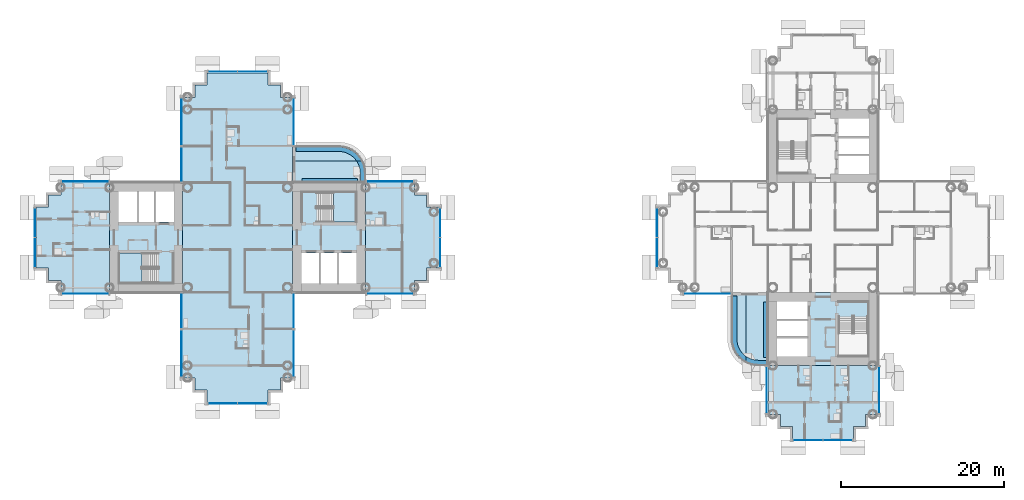
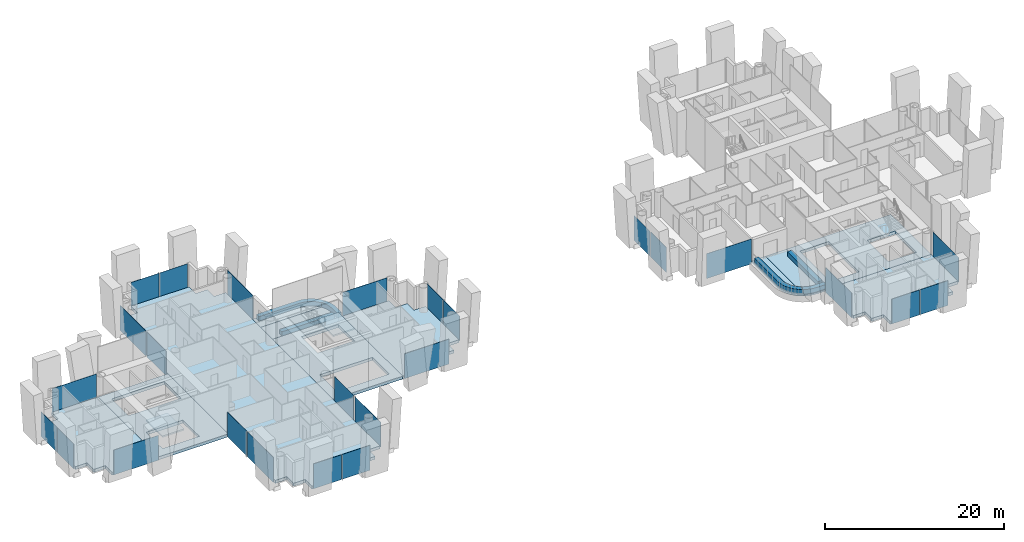
# One storey, part 8 of 23: 26 plates, 19 slabs, 22 elements without a shape of their own.
"""IFC4 building model written with IfcOpenShell, lengths in metres."""

from ifc_helpers import new_model, si_unit, direction, frame, origin, origin_2d, place, context, subcontext, project, spatial, polyline, rectangle, outline, extrude, material, layer, layer_set, type_object, element, aggregate, save


model = new_model("IFC4")

# Units and contexts
model_context = context("Model", 3, precision=1e-05, world=origin(), true_north=direction((0.0, 1.0)))
body_context = subcontext(model_context, "Body", "Model", "MODEL_VIEW")
ifc_project = project(units=[si_unit("LENGTHUNIT", "METRE"), si_unit("AREAUNIT", "SQUARE_METRE"), si_unit("VOLUMEUNIT", "CUBIC_METRE"), si_unit("PLANEANGLEUNIT", "RADIAN"), si_unit("MASSUNIT", "GRAM", prefix="KILO")], contexts=[model_context])

# Site, building, storey
site_placement = place(None, origin())
site = spatial("IfcSite", under=ifc_project, at=site_placement, CompositionType="ELEMENT")
building_placement = place(site_placement, origin())
building = spatial("IfcBuilding", under=site, at=building_placement, Name="Ipe Terrace Towers", CompositionType="ELEMENT")
storey_placement = place(building_placement, frame((0.0, 0.0, 51.699951171875)))
storey = spatial("IfcBuildingStorey", under=building, at=storey_placement, Name="L13", CompositionType="ELEMENT", Elevation=51.699951171875)

# Slabs
ifc_material_1 = material(Name="Concrete C30/37", Category="concrete")
ifc_layer_1 = layer(ifc_material_1, 0.199951171875)
ifc_layer_set_1 = layer_set([ifc_layer_1], Name="BALCONY SLAB 200")
slab_type_1 = type_object("IfcSlabType", Name="BALCONY SLAB 200", PredefinedType="FLOOR", material=ifc_layer_set_1)
slab_1_placement = place(storey_placement, frame((0.0, 0.0, -0.219970703125)))
element("IfcSlab", 1, at=slab_1_placement, inside=storey, type_object=slab_type_1, Name="balcony slab", PredefinedType="FLOOR", context=body_context, shape_type="SweptSolid", body=[
    extrude(outline(polyline([(-20.5009765625, 9.212890625), (-20.617919921875, 9.449951171875), (-29.25, 9.449951171875), (-29.25, 6.75), (-20.25, 6.75), (-20.25, 7.949951171875), (-20.278076171875, 8.381103515625), (-20.362060546875, 8.803955078125), (-20.5009765625, 9.212890625)])), origin(), (0.0, 0.0, 1.0), 0.199951171875),
])
slab_2_placement = place(storey_placement, frame((0.0, 0.0, -0.219970703125)))
element("IfcSlab", 2, at=slab_2_placement, inside=storey, type_object=slab_type_1, Name="balcony slab", PredefinedType="FLOOR", context=body_context, shape_type="SweptSolid", body=[
    extrude(outline(polyline([(-29.25, 11.25), (-29.25, 9.449951171875), (-20.617919921875, 9.449951171875), (-20.69189453125, 9.60009765625), (-20.931884765625, 9.958984375), (-21.217041015625, 10.282958984375), (-21.541015625, 10.568115234375), (-21.89990234375, 10.80810546875), (-22.287109375, 10.9990234375), (-22.696044921875, 11.137939453125), (-23.118896484375, 11.221923828125), (-23.550048828125, 11.25), (-29.25, 11.25)])), origin(), (0.0, 0.0, 1.0), 0.199951171875),
])
slab_3_placement = place(storey_placement, frame((0.0, 0.0, -0.219970703125)))
element("IfcSlab", 3, at=slab_3_placement, inside=storey, type_object=slab_type_1, Name="balcony slab", PredefinedType="FLOOR", context=body_context, shape_type="SweptSolid", body=[
    extrude(outline(polyline([(26.787109375, -15.4990234375), (27.196044921875, -15.637939453125), (27.618896484375, -15.721923828125), (28.050048828125, -15.75), (29.25, -15.75), (29.25, -6.75), (26.550048828125, -6.75), (26.550048828125, -15.382080078125), (26.787109375, -15.4990234375)])), origin(), (0.0, 0.0, 1.0), 0.199951171875),
])
slab_4_placement = place(storey_placement, frame((0.0, 0.0, -0.219970703125)))
element("IfcSlab", 4, at=slab_4_placement, inside=storey, type_object=slab_type_1, Name="balcony slab", PredefinedType="FLOOR", context=body_context, shape_type="SweptSolid", body=[
    extrude(outline(polyline([(24.75, -6.75), (24.75, -12.449951171875), (24.778076171875, -12.881103515625), (24.862060546875, -13.303955078125), (25.0009765625, -13.712890625), (25.19189453125, -14.10009765625), (25.431884765625, -14.458984375), (25.717041015625, -14.782958984375), (26.041015625, -15.068115234375), (26.39990234375, -15.30810546875), (26.550048828125, -15.382080078125), (26.550048828125, -6.75), (24.75, -6.75)])), origin(), (0.0, 0.0, 1.0), 0.199951171875),
])
ifc_material_2 = material(Name="Concrete C30/37", Category="concrete")
ifc_layer_2 = layer(ifc_material_2, 0.39990234375)
ifc_layer_set_2 = layer_set([ifc_layer_2], Name="CORE FLOOR SLAB 400 C30-37")
slab_type_2 = type_object("IfcSlabType", Name="CORE FLOOR SLAB 400 C30-37", PredefinedType="FLOOR", material=ifc_layer_set_2)
slab_5_placement = place(storey_placement, frame((0.0, 0.0, -0.39990234375)))
element("IfcSlab", 5, at=slab_5_placement, inside=storey, type_object=slab_type_2, Name="Core floor T1-C1", PredefinedType="FLOOR", context=body_context, shape_type="SweptSolid", body=[
    extrude(outline(polyline([(-29.25, -6.75), (-29.25, 6.75), (-20.25, 6.75), (-20.25, -6.75), (-29.25, -6.75)]), holes=[polyline([(-28.14990234375, -5.64990234375), (-21.35009765625, -5.64990234375), (-21.35009765625, -1.89990234375), (-28.14990234375, -1.89990234375), (-28.14990234375, -5.64990234375)]), polyline([(-26.199951171875, 5.550048828125), (-26.199951171875, 1.89990234375), (-21.449951171875, 1.89990234375), (-21.449951171875, 5.550048828125), (-26.199951171875, 5.550048828125)])]), origin(), (0.0, 0.0, 1.0), 0.39990234375),
])
slab_6_placement = place(storey_placement, frame((0.0, 0.0, -0.39990234375)))
element("IfcSlab", 6, at=slab_6_placement, inside=storey, type_object=slab_type_2, Name="Core floor T1-C2", PredefinedType="FLOOR", context=body_context, shape_type="SweptSolid", body=[
    extrude(outline(polyline([(-51.75, -6.75), (-51.75, 6.75), (-42.75, 6.75), (-42.75, -6.75), (-51.75, -6.75)]), holes=[polyline([(-45.800048828125, -5.550048828125), (-45.800048828125, -1.89990234375), (-50.550048828125, -1.89990234375), (-50.550048828125, -5.550048828125), (-45.800048828125, -5.550048828125)]), polyline([(-50.64990234375, 1.89990234375), (-43.85009765625, 1.89990234375), (-43.85009765625, 5.64990234375), (-50.64990234375, 5.64990234375), (-50.64990234375, 1.89990234375)])]), origin(), (0.0, 0.0, 1.0), 0.39990234375),
])
slab_7_placement = place(storey_placement, frame((0.0, 0.0, -0.39990234375)))
element("IfcSlab", 7, at=slab_7_placement, inside=storey, type_object=slab_type_2, Name="Core floor T2-C2", PredefinedType="FLOOR", context=body_context, shape_type="SweptSolid", body=[
    extrude(outline(polyline([(29.25, -15.75), (29.25, -6.75), (42.75, -6.75), (42.75, -15.75), (29.25, -15.75)]), holes=[polyline([(34.10009765625, -14.64990234375), (34.10009765625, -7.85009765625), (30.35009765625, -7.85009765625), (30.35009765625, -14.64990234375), (34.10009765625, -14.64990234375)]), polyline([(41.550048828125, -9.800048828125), (37.89990234375, -9.800048828125), (37.89990234375, -14.550048828125), (41.550048828125, -14.550048828125), (41.550048828125, -9.800048828125)])]), origin(), (0.0, 0.0, 1.0), 0.39990234375),
])

# Stair, slab
ifc_material_3 = material(Name="Concrete C30/37", Category="concrete")
stair_type = type_object("IfcStairType", Name="Protected exit stair", PredefinedType="HALF_TURN_STAIR", material=ifc_material_3)
stair_1_placement = place(storey_placement, origin())
stair_1 = element("IfcStair", 8, at=stair_1_placement, inside=storey, type_object=stair_type, Name="L13 Exit stair T1-C1", PredefinedType="HALF_TURN_STAIR")
ifc_material_4 = material(Name="Concrete C30/37", Category="concrete")
ifc_layer_3 = layer(ifc_material_4, 0.199951171875)
ifc_layer_set_3 = layer_set([ifc_layer_3], Name="Exit stair landing 200")
slab_type_3 = type_object("IfcSlabType", Name="Exit stair landing 200", PredefinedType="LANDING", material=ifc_layer_set_3)
slab_8_placement = place(storey_placement, frame((0.0, 0.0, 1.5)))
slab_8 = element("IfcSlab", 9, at=slab_8_placement, type_object=slab_type_3, Name="T1-ST1 landing 1", PredefinedType="LANDING", context=body_context, shape_type="SweptSolid", body=[
    extrude(outline(polyline([(-24.219970703125, 1.89990234375), (-21.449951171875, 1.89990234375), (-21.449951171875, 5.550048828125), (-24.219970703125, 5.550048828125), (-24.219970703125, 1.89990234375)])), origin(), (0.0, 0.0, 1.0), 0.199951171875),
])
aggregate(stair_1, [slab_8])

stair_2_placement = place(storey_placement, origin())
stair_2 = element("IfcStair", 10, at=stair_2_placement, inside=storey, type_object=stair_type, Name="L13 Exit stair T1-C2", PredefinedType="HALF_TURN_STAIR")
slab_9_placement = place(storey_placement, frame((0.0, 0.0, 1.5)))
slab_9 = element("IfcSlab", 11, at=slab_9_placement, type_object=slab_type_3, Name="T1-ST2 landing 1", PredefinedType="LANDING", context=body_context, shape_type="SweptSolid", body=[
    extrude(outline(polyline([(-47.780029296875, -1.89990234375), (-50.550048828125, -1.89990234375), (-50.550048828125, -5.550048828125), (-47.780029296875, -5.550048828125), (-47.780029296875, -1.89990234375)])), origin(), (0.0, 0.0, 1.0), 0.199951171875),
])
aggregate(stair_2, [slab_9])

# Slabs
ifc_material_5 = material(Name="Concrete C40/50", Category="concrete")
ifc_layer_4 = layer(ifc_material_5, 0.39990234375)
ifc_layer_set_4 = layer_set([ifc_layer_4], Name="FLAT PLATE SLAB 400 C40-50")
slab_type_4 = type_object("IfcSlabType", Name="FLAT PLATE SLAB 400 C40-50", PredefinedType="FLOOR", material=ifc_layer_set_4)
slab_10_placement = place(storey_placement, frame((0.0, 0.0, -0.39990234375)))
element("IfcSlab", 12, at=slab_10_placement, inside=storey, type_object=slab_type_4, Name="Slab T1-FS-Z11", PredefinedType="FLOOR", context=body_context, shape_type="SweptSolid", body=[
    extrude(outline(polyline([(-30.75, -17.25), (-30.75, -18.75), (-32.25, -18.75), (-32.25, -20.25), (-39.75, -20.25), (-39.75, -18.75), (-41.25, -18.75), (-41.25, -17.25), (-42.75, -17.25), (-42.75, -6.75), (-42.75, 6.75), (-42.75, 17.25), (-41.25, 17.25), (-41.25, 18.75), (-39.75, 18.75), (-39.75, 20.25), (-32.25, 20.25), (-32.25, 18.75), (-30.75, 18.75), (-30.75, 17.25), (-29.25, 17.25), (-29.25, 6.75), (-29.25, -6.75), (-29.25, -17.25), (-30.75, -17.25)])), origin(), (0.0, 0.0, 1.0), 0.39990234375),
])
slab_11_placement = place(storey_placement, frame((0.0, 0.0, -0.39990234375)))
element("IfcSlab", 13, at=slab_11_placement, inside=storey, type_object=slab_type_4, Name="Slab T1-FS-Z12", PredefinedType="FLOOR", context=body_context, shape_type="SweptSolid", body=[
    extrude(outline(polyline([(-57.75, -6.75), (-57.75, -5.25), (-59.25, -5.25), (-59.25, -3.75), (-60.75, -3.75), (-60.75, 3.75), (-59.25, 3.75), (-59.25, 5.25), (-57.75, 5.25), (-57.75, 6.75), (-51.75, 6.75), (-51.75, -6.75), (-57.75, -6.75)])), origin(), (0.0, 0.0, 1.0), 0.39990234375),
])
slab_12_placement = place(storey_placement, frame((0.0, 0.0, -0.39990234375)))
element("IfcSlab", 14, at=slab_12_placement, inside=storey, type_object=slab_type_4, Name="Slab T1-FS-Z13", PredefinedType="FLOOR", context=body_context, shape_type="SweptSolid", body=[
    extrude(outline(polyline([(-14.25, 5.25), (-12.75, 5.25), (-12.75, 3.75), (-11.25, 3.75), (-11.25, -3.75), (-12.75, -3.75), (-12.75, -5.25), (-14.25, -5.25), (-14.25, -6.75), (-20.25, -6.75), (-20.25, 6.75), (-14.25, 6.75), (-14.25, 5.25)])), origin(), (0.0, 0.0, 1.0), 0.39990234375),
])
slab_13_placement = place(storey_placement, frame((0.0, 0.0, -0.39990234375)))
element("IfcSlab", 15, at=slab_13_placement, inside=storey, type_object=slab_type_4, Name="Slab T2-FS-Z12", PredefinedType="FLOOR", context=body_context, shape_type="SweptSolid", body=[
    extrude(outline(polyline([(42.75, -21.75), (41.25, -21.75), (41.25, -23.25), (39.75, -23.25), (39.75, -24.75), (32.25, -24.75), (32.25, -23.25), (30.75, -23.25), (30.75, -21.75), (29.25, -21.75), (29.25, -15.75), (42.75, -15.75), (42.75, -21.75)])), origin(), (0.0, 0.0, 1.0), 0.39990234375),
])
ifc_material_6 = material(Name="Concrete C30/37", Category="concrete")
ifc_layer_5 = layer(ifc_material_6, 0.60009765625)
ifc_layer_set_5 = layer_set([ifc_layer_5], Name="PLANTER TROUGH 550 x 600")
slab_type_5 = type_object("IfcSlabType", Name="PLANTER TROUGH 550 x 600", PredefinedType="USERDEFINED", material=ifc_layer_set_5)
slab_14_placement = place(storey_placement, frame((0.0, 0.0, -0.02001953125)))
element("IfcSlab", 16, at=slab_14_placement, inside=storey, type_object=slab_type_5, Name="planter", ObjectType="PLANTER", PredefinedType="USERDEFINED", context=body_context, shape_type="SweptSolid", body=[
    extrude(outline(polyline([(-21.0009765625, 8.633056640625), (-20.93408203125, 8.2939453125), (-20.909912109375, 7.927978515625), (-20.909912109375, 6.75), (-20.360107421875, 6.75), (-20.360107421875, 7.93701171875), (-20.361083984375, 7.955078125), (-20.385986328125, 8.347900390625), (-20.39111328125, 8.384033203125), (-20.465087890625, 8.758056640625), (-20.47509765625, 8.79296875), (-20.596923828125, 9.154052734375), (-20.611083984375, 9.18701171875), (-20.740966796875, 9.449951171875), (-21.385986328125, 9.449951171875), (-21.264892578125, 9.26904296875), (-21.112060546875, 8.9599609375), (-21.0009765625, 8.633056640625)])), origin(), (0.0, 0.0, 1.0), 0.60009765625),
])
slab_15_placement = place(storey_placement, frame((0.0, 0.0, -0.02001953125)))
element("IfcSlab", 17, at=slab_15_placement, inside=storey, type_object=slab_type_5, Name="planter", ObjectType="PLANTER", PredefinedType="USERDEFINED", context=body_context, shape_type="SweptSolid", body=[
    extrude(outline(polyline([(-21.45703125, 9.555908203125), (-21.385986328125, 9.449951171875), (-20.740966796875, 9.449951171875), (-20.780029296875, 9.529052734375), (-20.798095703125, 9.56005859375), (-21.009033203125, 9.876953125), (-21.031005859375, 9.905029296875), (-21.282958984375, 10.19189453125), (-21.30810546875, 10.217041015625), (-21.594970703125, 10.468994140625), (-21.623046875, 10.490966796875), (-21.93994140625, 10.701904296875), (-21.970947265625, 10.719970703125), (-22.31298828125, 10.888916015625), (-22.345947265625, 10.903076171875), (-22.70703125, 11.02490234375), (-22.741943359375, 11.034912109375), (-23.115966796875, 11.10888671875), (-23.152099609375, 11.114013671875), (-23.544921875, 11.138916015625), (-23.56298828125, 11.139892578125), (-28.800048828125, 11.139892578125), (-28.800048828125, 10.590087890625), (-23.572021484375, 10.590087890625), (-23.2060546875, 10.56591796875), (-22.866943359375, 10.4990234375), (-22.5400390625, 10.387939453125), (-22.23095703125, 10.235107421875), (-21.944091796875, 10.04296875), (-21.68408203125, 9.81591796875), (-21.45703125, 9.555908203125)])), origin(), (0.0, 0.0, 1.0), 0.60009765625),
])
slab_16_placement = place(storey_placement, frame((0.0, 0.0, -0.02001953125)))
element("IfcSlab", 18, at=slab_16_placement, inside=storey, type_object=slab_type_5, Name="planter", ObjectType="PLANTER", PredefinedType="USERDEFINED", context=body_context, shape_type="SweptSolid", body=[
    extrude(outline(polyline([(-28.050048828125, 6.75), (-21.25, 6.75), (-21.25, 7.300048828125), (-28.050048828125, 7.300048828125), (-28.050048828125, 6.75)])), origin(), (0.0, 0.0, 1.0), 0.60009765625),
])
slab_17_placement = place(storey_placement, frame((0.0, 0.0, -0.02001953125)))
element("IfcSlab", 19, at=slab_17_placement, inside=storey, type_object=slab_type_5, Name="planter", ObjectType="PLANTER", PredefinedType="USERDEFINED", context=body_context, shape_type="SweptSolid", body=[
    extrude(outline(polyline([(27.366943359375, -14.9990234375), (27.0400390625, -14.887939453125), (26.73095703125, -14.735107421875), (26.550048828125, -14.614013671875), (26.550048828125, -15.259033203125), (26.81298828125, -15.388916015625), (26.845947265625, -15.403076171875), (27.20703125, -15.52490234375), (27.241943359375, -15.534912109375), (27.615966796875, -15.60888671875), (27.652099609375, -15.614013671875), (28.044921875, -15.638916015625), (28.06298828125, -15.639892578125), (29.25, -15.639892578125), (29.25, -15.090087890625), (28.072021484375, -15.090087890625), (27.7060546875, -15.06591796875), (27.366943359375, -14.9990234375)])), origin(), (0.0, 0.0, 1.0), 0.60009765625),
])
slab_18_placement = place(storey_placement, frame((0.0, 0.0, -0.02001953125)))
element("IfcSlab", 20, at=slab_18_placement, inside=storey, type_object=slab_type_5, Name="planter", ObjectType="PLANTER", PredefinedType="USERDEFINED", context=body_context, shape_type="SweptSolid", body=[
    extrude(outline(polyline([(26.444091796875, -14.54296875), (26.18408203125, -14.31591796875), (25.95703125, -14.055908203125), (25.764892578125, -13.76904296875), (25.612060546875, -13.4599609375), (25.5009765625, -13.133056640625), (25.43408203125, -12.7939453125), (25.409912109375, -12.427978515625), (25.409912109375, -7.199951171875), (24.860107421875, -7.199951171875), (24.860107421875, -12.43701171875), (24.861083984375, -12.455078125), (24.885986328125, -12.847900390625), (24.89111328125, -12.884033203125), (24.965087890625, -13.258056640625), (24.97509765625, -13.29296875), (25.096923828125, -13.654052734375), (25.111083984375, -13.68701171875), (25.280029296875, -14.029052734375), (25.298095703125, -14.06005859375), (25.509033203125, -14.376953125), (25.531005859375, -14.405029296875), (25.782958984375, -14.69189453125), (25.80810546875, -14.717041015625), (26.094970703125, -14.968994140625), (26.123046875, -14.990966796875), (26.43994140625, -15.201904296875), (26.470947265625, -15.219970703125), (26.550048828125, -15.259033203125), (26.550048828125, -14.614013671875), (26.444091796875, -14.54296875)])), origin(), (0.0, 0.0, 1.0), 0.60009765625),
])
slab_19_placement = place(storey_placement, frame((0.0, 0.0, -0.02001953125)))
element("IfcSlab", 21, at=slab_19_placement, inside=storey, type_object=slab_type_5, Name="planter", ObjectType="PLANTER", PredefinedType="USERDEFINED", context=body_context, shape_type="SweptSolid", body=[
    extrude(outline(polyline([(29.25, -7.949951171875), (28.699951171875, -7.949951171875), (28.699951171875, -14.75), (29.25, -14.75), (29.25, -7.949951171875)])), origin(), (0.0, 0.0, 1.0), 0.60009765625),
])

# Curtain wall, plate
ifc_material_7 = material(Name="Aluminium alloy 6063-T6", Category="aluminium")
ifc_layer_6 = layer(ifc_material_7, 0.320068359375)
ifc_layer_set_6 = layer_set([ifc_layer_6], Name="TOWER UNITISED CURTAIN WALL")
curtain_wall_type = type_object("IfcCurtainWallType", Name="TOWER UNITISED CURTAIN WALL", PredefinedType="NOTDEFINED", material=ifc_layer_set_6)
curtain_wall_1_placement = place(storey_placement, origin())
curtain_wall_1 = element("IfcCurtainWall", 22, at=curtain_wall_1_placement, inside=storey, type_object=curtain_wall_type, Name="T1-CW-L13-04a curtain wall", PredefinedType="NOTDEFINED")
ifc_material_8 = material(Name="Glass, clear laminated", Category="glass")
ifc_layer_7 = layer(ifc_material_8, 0.031982421875)
ifc_layer_set_7 = layer_set([ifc_layer_7], Name="TOWER UNITISED GLASS PANEL 32")
plate_type = type_object("IfcPlateType", Name="TOWER UNITISED GLASS PANEL 32", PredefinedType="CURTAIN_PANEL", material=ifc_layer_set_7)
plate_1_placement = place(storey_placement, frame((-54.75048828125, -6.909912109375, -0.2998046875), z_axis=(0.0, 0.0, 1.0), x_axis=(1.0, 0.0, 0.0)))
plate_1 = element("IfcPlate", 23, at=plate_1_placement, type_object=plate_type, Name="T1-CW-L13-04a panel 1", PredefinedType="CURTAIN_PANEL", context=body_context, shape_type="SweptSolid", body=[
    extrude(rectangle(XDim=5.759033203125, YDim=0.031982421875, at=origin_2d()), origin(), (0.0, 0.0, 1.0), 3.39990234375),
])
aggregate(curtain_wall_1, [plate_1])

curtain_wall_2_placement = place(storey_placement, origin())
curtain_wall_2 = element("IfcCurtainWall", 24, at=curtain_wall_2_placement, inside=storey, type_object=curtain_wall_type, Name="T1-CW-L13-06a curtain wall", PredefinedType="NOTDEFINED")
plate_2_placement = place(storey_placement, frame((-42.909912109375, -9.0, -0.2998046875), z_axis=(0.0, 0.0, 1.0), x_axis=(0.0, -1.0, 0.0)))
plate_2 = element("IfcPlate", 25, at=plate_2_placement, type_object=plate_type, Name="T1-CW-L13-06a panel 1", PredefinedType="CURTAIN_PANEL", context=body_context, shape_type="SweptSolid", body=[
    extrude(rectangle(XDim=4.260009765625, YDim=0.031982421875, at=origin_2d()), origin(), (0.0, 0.0, 1.0), 3.39990234375),
])
aggregate(curtain_wall_2, [plate_2])

curtain_wall_3_placement = place(storey_placement, origin())
curtain_wall_3 = element("IfcCurtainWall", 26, at=curtain_wall_3_placement, inside=storey, type_object=curtain_wall_type, Name="T1-CW-L13-07a curtain wall", PredefinedType="NOTDEFINED")
plate_3_placement = place(storey_placement, frame((-42.909912109375, -14.25, -0.2998046875), z_axis=(0.0, 0.0, 1.0), x_axis=(0.0, -1.0, 0.0)))
plate_3 = element("IfcPlate", 27, at=plate_3_placement, type_object=plate_type, Name="T1-CW-L13-07a panel 1", PredefinedType="CURTAIN_PANEL", context=body_context, shape_type="SweptSolid", body=[
    extrude(rectangle(XDim=5.760009765625, YDim=0.031982421875, at=origin_2d()), origin(), (0.0, 0.0, 1.0), 3.39990234375),
])
aggregate(curtain_wall_3, [plate_3])

# Curtain wall, plates
curtain_wall_4_placement = place(storey_placement, origin())
curtain_wall_4 = element("IfcCurtainWall", 28, at=curtain_wall_4_placement, inside=storey, type_object=curtain_wall_type, Name="T1-CW-L13-12a curtain wall", PredefinedType="NOTDEFINED")
plate_4_placement = place(storey_placement, frame((-37.831298828125, -20.409912109375, -0.2998046875), z_axis=(0.0, 0.0, 1.0), x_axis=(1.0, 0.0, 0.0)))
plate_4 = element("IfcPlate", 29, at=plate_4_placement, type_object=plate_type, Name="T1-CW-L13-12a panel 1", PredefinedType="CURTAIN_PANEL", context=body_context, shape_type="SweptSolid", body=[
    extrude(rectangle(XDim=3.597412109375, YDim=0.031982421875, at=origin_2d()), origin(), (0.0, 0.0, 1.0), 3.39990234375),
])
plate_5_placement = place(storey_placement, frame((-34.168701171875, -20.409912109375, -0.2998046875), z_axis=(0.0, 0.0, 1.0), x_axis=(1.0, 0.0, 0.0)))
plate_5 = element("IfcPlate", 30, at=plate_5_placement, type_object=plate_type, Name="T1-CW-L13-12a panel 2", PredefinedType="CURTAIN_PANEL", context=body_context, shape_type="SweptSolid", body=[
    extrude(rectangle(XDim=3.597412109375, YDim=0.031982421875, at=origin_2d()), origin(), (0.0, 0.0, 1.0), 3.39990234375),
])
aggregate(curtain_wall_4, [plate_4, plate_5])

# Curtain wall, plate
curtain_wall_5_placement = place(storey_placement, origin())
curtain_wall_5 = element("IfcCurtainWall", 31, at=curtain_wall_5_placement, inside=storey, type_object=curtain_wall_type, Name="T1-CW-L13-17a curtain wall", PredefinedType="NOTDEFINED")
plate_6_placement = place(storey_placement, frame((-29.090087890625, -14.25, -0.2998046875), z_axis=(0.0, 0.0, 1.0), x_axis=(0.0, 1.0, 0.0)))
plate_6 = element("IfcPlate", 32, at=plate_6_placement, type_object=plate_type, Name="T1-CW-L13-17a panel 1", PredefinedType="CURTAIN_PANEL", context=body_context, shape_type="SweptSolid", body=[
    extrude(rectangle(XDim=5.760009765625, YDim=0.031982421875, at=origin_2d()), origin(), (0.0, 0.0, 1.0), 3.39990234375),
])
aggregate(curtain_wall_5, [plate_6])

curtain_wall_6_placement = place(storey_placement, origin())
curtain_wall_6 = element("IfcCurtainWall", 33, at=curtain_wall_6_placement, inside=storey, type_object=curtain_wall_type, Name="T1-CW-L13-18a curtain wall", PredefinedType="NOTDEFINED")
plate_7_placement = place(storey_placement, frame((-29.090087890625, -9.0, -0.2998046875), z_axis=(0.0, 0.0, 1.0), x_axis=(0.0, 1.0, 0.0)))
plate_7 = element("IfcPlate", 34, at=plate_7_placement, type_object=plate_type, Name="T1-CW-L13-18a panel 1", PredefinedType="CURTAIN_PANEL", context=body_context, shape_type="SweptSolid", body=[
    extrude(rectangle(XDim=4.260009765625, YDim=0.031982421875, at=origin_2d()), origin(), (0.0, 0.0, 1.0), 3.39990234375),
])
aggregate(curtain_wall_6, [plate_7])

curtain_wall_7_placement = place(storey_placement, origin())
curtain_wall_7 = element("IfcCurtainWall", 35, at=curtain_wall_7_placement, inside=storey, type_object=curtain_wall_type, Name="T1-CW-L13-20b curtain wall", PredefinedType="NOTDEFINED")
plate_8_placement = place(storey_placement, frame((-17.24951171875, -6.909912109375, -0.2998046875), z_axis=(0.0, 0.0, 1.0), x_axis=(1.0, 0.0, 0.0)))
plate_8 = element("IfcPlate", 36, at=plate_8_placement, type_object=plate_type, Name="T1-CW-L13-20b panel 1", PredefinedType="CURTAIN_PANEL", context=body_context, shape_type="SweptSolid", body=[
    extrude(rectangle(XDim=5.759033203125, YDim=0.031982421875, at=origin_2d()), origin(), (0.0, 0.0, 1.0), 3.39990234375),
])
aggregate(curtain_wall_7, [plate_8])

# Curtain wall, plates
curtain_wall_8_placement = place(storey_placement, origin())
curtain_wall_8 = element("IfcCurtainWall", 37, at=curtain_wall_8_placement, inside=storey, type_object=curtain_wall_type, Name="T1-CW-L13-25a curtain wall", PredefinedType="NOTDEFINED")
plate_9_placement = place(storey_placement, frame((-11.090087890625, -1.831298828125, -0.2998046875), z_axis=(0.0, 0.0, 1.0), x_axis=(0.0, 1.0, 0.0)))
plate_9 = element("IfcPlate", 38, at=plate_9_placement, type_object=plate_type, Name="T1-CW-L13-25a panel 1", PredefinedType="CURTAIN_PANEL", context=body_context, shape_type="SweptSolid", body=[
    extrude(rectangle(XDim=3.597412109375, YDim=0.031982421875, at=origin_2d()), origin(), (0.0, 0.0, 1.0), 3.39990234375),
])
plate_10_placement = place(storey_placement, frame((-11.090087890625, 1.831298828125, -0.2998046875), z_axis=(0.0, 0.0, 1.0), x_axis=(0.0, 1.0, 0.0)))
plate_10 = element("IfcPlate", 39, at=plate_10_placement, type_object=plate_type, Name="T1-CW-L13-25a panel 2", PredefinedType="CURTAIN_PANEL", context=body_context, shape_type="SweptSolid", body=[
    extrude(rectangle(XDim=3.597412109375, YDim=0.031982421875, at=origin_2d()), origin(), (0.0, 0.0, 1.0), 3.39990234375),
])
aggregate(curtain_wall_8, [plate_9, plate_10])

# Curtain wall, plate
curtain_wall_9_placement = place(storey_placement, origin())
curtain_wall_9 = element("IfcCurtainWall", 40, at=curtain_wall_9_placement, inside=storey, type_object=curtain_wall_type, Name="T1-CW-L13-30a curtain wall", PredefinedType="NOTDEFINED")
plate_11_placement = place(storey_placement, frame((-17.24951171875, 6.909912109375, -0.2998046875), z_axis=(0.0, 0.0, 1.0), x_axis=(-1.0, 0.0, 0.0)))
plate_11 = element("IfcPlate", 41, at=plate_11_placement, type_object=plate_type, Name="T1-CW-L13-30a panel 1", PredefinedType="CURTAIN_PANEL", context=body_context, shape_type="SweptSolid", body=[
    extrude(rectangle(XDim=5.759033203125, YDim=0.031982421875, at=origin_2d()), origin(), (0.0, 0.0, 1.0), 3.39990234375),
])
aggregate(curtain_wall_9, [plate_11])

curtain_wall_10_placement = place(storey_placement, origin())
curtain_wall_10 = element("IfcCurtainWall", 42, at=curtain_wall_10_placement, inside=storey, type_object=curtain_wall_type, Name="T1-CW-L13-33a curtain wall", PredefinedType="NOTDEFINED")
plate_12_placement = place(storey_placement, frame((-29.090087890625, 14.25, -0.2998046875), z_axis=(0.0, 0.0, 1.0), x_axis=(0.0, 1.0, 0.0)))
plate_12 = element("IfcPlate", 43, at=plate_12_placement, type_object=plate_type, Name="T1-CW-L13-33a panel 1", PredefinedType="CURTAIN_PANEL", context=body_context, shape_type="SweptSolid", body=[
    extrude(rectangle(XDim=5.760009765625, YDim=0.031982421875, at=origin_2d()), origin(), (0.0, 0.0, 1.0), 3.39990234375),
])
aggregate(curtain_wall_10, [plate_12])

# Curtain wall, plates
curtain_wall_11_placement = place(storey_placement, origin())
curtain_wall_11 = element("IfcCurtainWall", 44, at=curtain_wall_11_placement, inside=storey, type_object=curtain_wall_type, Name="T1-CW-L13-38a curtain wall", PredefinedType="NOTDEFINED")
plate_13_placement = place(storey_placement, frame((-34.168701171875, 20.409912109375, -0.2998046875), z_axis=(0.0, 0.0, 1.0), x_axis=(-1.0, 0.0, 0.0)))
plate_13 = element("IfcPlate", 45, at=plate_13_placement, type_object=plate_type, Name="T1-CW-L13-38a panel 1", PredefinedType="CURTAIN_PANEL", context=body_context, shape_type="SweptSolid", body=[
    extrude(rectangle(XDim=3.597412109375, YDim=0.031982421875, at=origin_2d()), origin(), (0.0, 0.0, 1.0), 3.39990234375),
])
plate_14_placement = place(storey_placement, frame((-37.831298828125, 20.409912109375, -0.2998046875), z_axis=(0.0, 0.0, 1.0), x_axis=(-1.0, 0.0, 0.0)))
plate_14 = element("IfcPlate", 46, at=plate_14_placement, type_object=plate_type, Name="T1-CW-L13-38a panel 2", PredefinedType="CURTAIN_PANEL", context=body_context, shape_type="SweptSolid", body=[
    extrude(rectangle(XDim=3.597412109375, YDim=0.031982421875, at=origin_2d()), origin(), (0.0, 0.0, 1.0), 3.39990234375),
])
aggregate(curtain_wall_11, [plate_13, plate_14])

# Curtain wall, plate
curtain_wall_12_placement = place(storey_placement, origin())
curtain_wall_12 = element("IfcCurtainWall", 47, at=curtain_wall_12_placement, inside=storey, type_object=curtain_wall_type, Name="T1-CW-L13-43a curtain wall", PredefinedType="NOTDEFINED")
plate_15_placement = place(storey_placement, frame((-42.909912109375, 14.25, -0.2998046875), z_axis=(0.0, 0.0, 1.0), x_axis=(0.0, -1.0, 0.0)))
plate_15 = element("IfcPlate", 48, at=plate_15_placement, type_object=plate_type, Name="T1-CW-L13-43a panel 1", PredefinedType="CURTAIN_PANEL", context=body_context, shape_type="SweptSolid", body=[
    extrude(rectangle(XDim=5.760009765625, YDim=0.031982421875, at=origin_2d()), origin(), (0.0, 0.0, 1.0), 3.39990234375),
])
aggregate(curtain_wall_12, [plate_15])

curtain_wall_13_placement = place(storey_placement, origin())
curtain_wall_13 = element("IfcCurtainWall", 49, at=curtain_wall_13_placement, inside=storey, type_object=curtain_wall_type, Name="T1-CW-L13-44a curtain wall", PredefinedType="NOTDEFINED")
plate_16_placement = place(storey_placement, frame((-42.909912109375, 9.0, -0.2998046875), z_axis=(0.0, 0.0, 1.0), x_axis=(0.0, -1.0, 0.0)))
plate_16 = element("IfcPlate", 50, at=plate_16_placement, type_object=plate_type, Name="T1-CW-L13-44a panel 1", PredefinedType="CURTAIN_PANEL", context=body_context, shape_type="SweptSolid", body=[
    extrude(rectangle(XDim=4.260009765625, YDim=0.031982421875, at=origin_2d()), origin(), (0.0, 0.0, 1.0), 3.39990234375),
])
aggregate(curtain_wall_13, [plate_16])

curtain_wall_14_placement = place(storey_placement, origin())
curtain_wall_14 = element("IfcCurtainWall", 51, at=curtain_wall_14_placement, inside=storey, type_object=curtain_wall_type, Name="T1-CW-L13-46b curtain wall", PredefinedType="NOTDEFINED")
plate_17_placement = place(storey_placement, frame((-54.75048828125, 6.909912109375, -0.2998046875), z_axis=(0.0, 0.0, 1.0), x_axis=(-1.0, 0.0, 0.0)))
plate_17 = element("IfcPlate", 52, at=plate_17_placement, type_object=plate_type, Name="T1-CW-L13-46b panel 1", PredefinedType="CURTAIN_PANEL", context=body_context, shape_type="SweptSolid", body=[
    extrude(rectangle(XDim=5.759033203125, YDim=0.031982421875, at=origin_2d()), origin(), (0.0, 0.0, 1.0), 3.39990234375),
])
aggregate(curtain_wall_14, [plate_17])

# Curtain wall, plates
curtain_wall_15_placement = place(storey_placement, origin())
curtain_wall_15 = element("IfcCurtainWall", 53, at=curtain_wall_15_placement, inside=storey, type_object=curtain_wall_type, Name="T1-CW-L13-51a curtain wall", PredefinedType="NOTDEFINED")
plate_18_placement = place(storey_placement, frame((-60.909912109375, 1.831298828125, -0.2998046875), z_axis=(0.0, 0.0, 1.0), x_axis=(0.0, -1.0, 0.0)))
plate_18 = element("IfcPlate", 54, at=plate_18_placement, type_object=plate_type, Name="T1-CW-L13-51a panel 1", PredefinedType="CURTAIN_PANEL", context=body_context, shape_type="SweptSolid", body=[
    extrude(rectangle(XDim=3.597412109375, YDim=0.031982421875, at=origin_2d()), origin(), (0.0, 0.0, 1.0), 3.39990234375),
])
plate_19_placement = place(storey_placement, frame((-60.909912109375, -1.831298828125, -0.2998046875), z_axis=(0.0, 0.0, 1.0), x_axis=(0.0, -1.0, 0.0)))
plate_19 = element("IfcPlate", 55, at=plate_19_placement, type_object=plate_type, Name="T1-CW-L13-51a panel 2", PredefinedType="CURTAIN_PANEL", context=body_context, shape_type="SweptSolid", body=[
    extrude(rectangle(XDim=3.597412109375, YDim=0.031982421875, at=origin_2d()), origin(), (0.0, 0.0, 1.0), 3.39990234375),
])
aggregate(curtain_wall_15, [plate_18, plate_19])

# Curtain wall, plate
curtain_wall_16_placement = place(storey_placement, origin())
curtain_wall_16 = element("IfcCurtainWall", 56, at=curtain_wall_16_placement, inside=storey, type_object=curtain_wall_type, Name="T2-CW-L13-04a curtain wall", PredefinedType="NOTDEFINED")
plate_20_placement = place(storey_placement, frame((42.909912109375, -18.75048828125, -0.2998046875), z_axis=(0.0, 0.0, 1.0), x_axis=(0.0, 1.0, 0.0)))
plate_20 = element("IfcPlate", 57, at=plate_20_placement, type_object=plate_type, Name="T2-CW-L13-04a panel 1", PredefinedType="CURTAIN_PANEL", context=body_context, shape_type="SweptSolid", body=[
    extrude(rectangle(XDim=5.759033203125, YDim=0.031982421875, at=origin_2d()), origin(), (0.0, 0.0, 1.0), 3.39990234375),
])
aggregate(curtain_wall_16, [plate_20])

# Curtain wall, plates
curtain_wall_17_placement = place(storey_placement, origin())
curtain_wall_17 = element("IfcCurtainWall", 58, at=curtain_wall_17_placement, inside=storey, type_object=curtain_wall_type, Name="T2-CW-L13-38a curtain wall", PredefinedType="NOTDEFINED")
plate_21_placement = place(storey_placement, frame((15.590087890625, 1.831298828125, -0.2998046875), z_axis=(0.0, 0.0, 1.0), x_axis=(0.0, -1.0, 0.0)))
plate_21 = element("IfcPlate", 59, at=plate_21_placement, type_object=plate_type, Name="T2-CW-L13-38a panel 1", PredefinedType="CURTAIN_PANEL", context=body_context, shape_type="SweptSolid", body=[
    extrude(rectangle(XDim=3.597412109375, YDim=0.031982421875, at=origin_2d()), origin(), (0.0, 0.0, 1.0), 3.39990234375),
])
plate_22_placement = place(storey_placement, frame((15.590087890625, -1.831298828125, -0.2998046875), z_axis=(0.0, 0.0, 1.0), x_axis=(0.0, -1.0, 0.0)))
plate_22 = element("IfcPlate", 60, at=plate_22_placement, type_object=plate_type, Name="T2-CW-L13-38a panel 2", PredefinedType="CURTAIN_PANEL", context=body_context, shape_type="SweptSolid", body=[
    extrude(rectangle(XDim=3.597412109375, YDim=0.031982421875, at=origin_2d()), origin(), (0.0, 0.0, 1.0), 3.39990234375),
])
aggregate(curtain_wall_17, [plate_21, plate_22])

# Curtain wall, plate
curtain_wall_18_placement = place(storey_placement, origin())
curtain_wall_18 = element("IfcCurtainWall", 61, at=curtain_wall_18_placement, inside=storey, type_object=curtain_wall_type, Name="T2-CW-L13-43a curtain wall", PredefinedType="NOTDEFINED")
plate_23_placement = place(storey_placement, frame((21.75, -6.909912109375, -0.2998046875), z_axis=(0.0, 0.0, 1.0), x_axis=(1.0, 0.0, 0.0)))
plate_23 = element("IfcPlate", 62, at=plate_23_placement, type_object=plate_type, Name="T2-CW-L13-43a panel 1", PredefinedType="CURTAIN_PANEL", context=body_context, shape_type="SweptSolid", body=[
    extrude(rectangle(XDim=5.760009765625, YDim=0.031982421875, at=origin_2d()), origin(), (0.0, 0.0, 1.0), 3.39990234375),
])
aggregate(curtain_wall_18, [plate_23])

curtain_wall_19_placement = place(storey_placement, origin())
curtain_wall_19 = element("IfcCurtainWall", 63, at=curtain_wall_19_placement, inside=storey, type_object=curtain_wall_type, Name="T2-CW-L13-46b curtain wall", PredefinedType="NOTDEFINED")
plate_24_placement = place(storey_placement, frame((29.090087890625, -18.75048828125, -0.2998046875), z_axis=(0.0, 0.0, 1.0), x_axis=(0.0, -1.0, 0.0)))
plate_24 = element("IfcPlate", 64, at=plate_24_placement, type_object=plate_type, Name="T2-CW-L13-46b panel 1", PredefinedType="CURTAIN_PANEL", context=body_context, shape_type="SweptSolid", body=[
    extrude(rectangle(XDim=5.759033203125, YDim=0.031982421875, at=origin_2d()), origin(), (0.0, 0.0, 1.0), 3.39990234375),
])
aggregate(curtain_wall_19, [plate_24])

# Curtain wall, plates
curtain_wall_20_placement = place(storey_placement, origin())
curtain_wall_20 = element("IfcCurtainWall", 65, at=curtain_wall_20_placement, inside=storey, type_object=curtain_wall_type, Name="T2-CW-L13-51a curtain wall", PredefinedType="NOTDEFINED")
plate_25_placement = place(storey_placement, frame((34.168701171875, -24.909912109375, -0.2998046875), z_axis=(0.0, 0.0, 1.0), x_axis=(1.0, 0.0, 0.0)))
plate_25 = element("IfcPlate", 66, at=plate_25_placement, type_object=plate_type, Name="T2-CW-L13-51a panel 1", PredefinedType="CURTAIN_PANEL", context=body_context, shape_type="SweptSolid", body=[
    extrude(rectangle(XDim=3.597412109375, YDim=0.031982421875, at=origin_2d()), origin(), (0.0, 0.0, 1.0), 3.39990234375),
])
plate_26_placement = place(storey_placement, frame((37.831298828125, -24.909912109375, -0.2998046875), z_axis=(0.0, 0.0, 1.0), x_axis=(1.0, 0.0, 0.0)))
plate_26 = element("IfcPlate", 67, at=plate_26_placement, type_object=plate_type, Name="T2-CW-L13-51a panel 2", PredefinedType="CURTAIN_PANEL", context=body_context, shape_type="SweptSolid", body=[
    extrude(rectangle(XDim=3.597412109375, YDim=0.031982421875, at=origin_2d()), origin(), (0.0, 0.0, 1.0), 3.39990234375),
])
aggregate(curtain_wall_20, [plate_25, plate_26])

save(model, "model.ifc")
